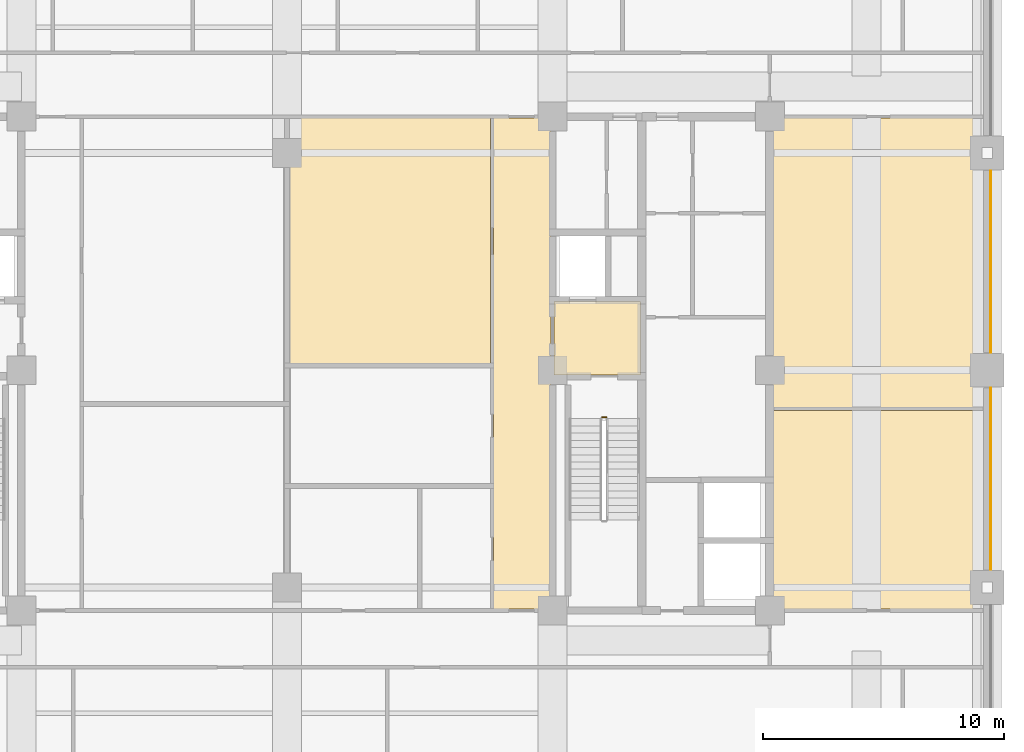
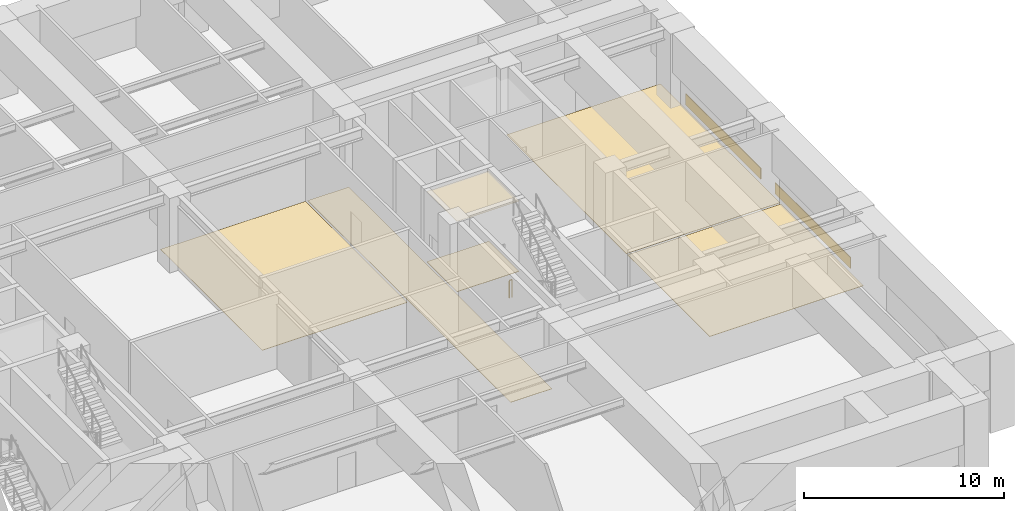
# One storey, part 10 of 11: 8 coverings, 1 railing.
"""IFC4 building model written with IfcOpenShell, lengths in metres."""

from ifc_helpers import new_model, si_unit, direction, frame, frame_2d, origin, origin_2d, place, context, subcontext, project, spatial, polyline, rectangle, outline, extrude, material, layer, layer_set, type_object, element, save


model = new_model("IFC4")

# Units and contexts
model_context = context("Model", 3, precision=1e-05, world=origin(), true_north=direction((0.0, 1.0)))
body_context = subcontext(model_context, "Body", "Model", "MODEL_VIEW")
ifc_project = project(units=[si_unit("LENGTHUNIT", "METRE"), si_unit("AREAUNIT", "SQUARE_METRE"), si_unit("VOLUMEUNIT", "CUBIC_METRE"), si_unit("PLANEANGLEUNIT", "RADIAN"), si_unit("MASSUNIT", "GRAM", prefix="KILO")], contexts=[model_context])

# Site, building, storey
site_placement = place(None, origin())
site = spatial("IfcSite", under=ifc_project, at=site_placement, CompositionType="ELEMENT")
building_placement = place(site_placement, origin())
building = spatial("IfcBuilding", under=site, at=building_placement, Name="Zulmaris Gate Convention Tower", CompositionType="ELEMENT")
storey_placement = place(building_placement, frame((0.0, 0.0, 52.18994140625)))
storey = spatial("IfcBuildingStorey", under=building, at=storey_placement, Name="L12", CompositionType="ELEMENT", Elevation=52.18994140625)

# Coverings
ifc_material_1 = material(Name="Precast concrete C40/50", Category="concrete")
ifc_layer_1 = layer(ifc_material_1, 0.0400390625, Name="Precast concrete C40/50")
ifc_layer_set_1 = layer_set([ifc_layer_1], Name="Precast concrete C40/50")
covering_type_1 = type_object("IfcCoveringType", Name="CLAD-SPANDREL-PRECAST", PredefinedType="CLADDING", material=ifc_layer_set_1)
for number, where, z_axis, x_axis, name in (
    (1, (29.14990234375, -8.27001953125, 0.0), (0.0, 0.0, 1.0), (0.0, 1.0, 0.0), "CLD-L12-E-1_0"),
    (2, (29.14990234375, 0.72998046875, 0.0), (0.0, 0.0, 1.0), (0.0, 1.0, 0.0), "CLD-L12-E-2_0"),
):
    element("IfcCovering", number, at=place(storey_placement, frame(where, z_axis=z_axis, x_axis=x_axis)), inside=storey, type_object=covering_type_1, Name=name, PredefinedType="CLADDING", context=body_context, shape_type="SweptSolid", body=[
        extrude(rectangle(XDim=7.5400390625, YDim=0.0400390625, at=frame_2d((3.77001953125, 0.0))), origin(), (0.0, 0.0, 1.0), 0.679931640625),
    ])
ifc_material_2 = material(Name="Mineral Fibre Acoustic Ceiling Tile")
ifc_layer_2 = layer(ifc_material_2, 0.02001953125, Name="Mineral Fibre Acoustic Ceiling Tile")
ifc_layer_set_2 = layer_set([ifc_layer_2], Name="Mineral Fibre Acoustic Ceiling Tile")
covering_type_2 = type_object("IfcCoveringType", Name="CLG-ACOUSTIC-600", PredefinedType="CEILING", material=ifc_layer_set_2)
covering_1_placement = place(storey_placement, frame((0.0, 0.0, 4.294921875)))
element("IfcCovering", 3, at=covering_1_placement, inside=storey, type_object=covering_type_2, Name="CLG-L12-R08", PredefinedType="CEILING", context=body_context, shape_type="SweptSolid", body=[
    extrude(outline(polyline([(11.06005859375, -0.18994140625), (14.639892578125, -0.18994140625), (14.639892578125, 2.840087890625), (11.06005859375, 2.840087890625), (11.06005859375, -0.18994140625)])), origin(), (0.0, 0.0, 1.0), 0.02001953125),
])
ifc_material_3 = material(Name="Woven Acoustic Wool Carpet Tile")
ifc_layer_3 = layer(ifc_material_3, 0.02001953125, Name="Woven Acoustic Wool Carpet Tile")
ifc_layer_set_3 = layer_set([ifc_layer_3], Name="Woven Acoustic Wool Carpet Tile")
covering_type_3 = type_object("IfcCoveringType", Name="FLR-CARPET-12", PredefinedType="FLOORING", material=ifc_layer_set_3)
covering_2_placement = place(storey_placement, origin())
element("IfcCovering", 4, at=covering_2_placement, inside=storey, type_object=covering_type_3, Name="FLR-L12-R08", PredefinedType="FLOORING", context=body_context, shape_type="SweptSolid", body=[
    extrude(outline(polyline([(11.06005859375, -0.18994140625), (14.639892578125, -0.18994140625), (14.639892578125, 2.840087890625), (11.06005859375, 2.840087890625), (11.06005859375, -0.18994140625)])), origin(), (0.0, 0.0, 1.0), 0.02001953125),
])
covering_3_placement = place(storey_placement, origin())
element("IfcCovering", 5, at=covering_3_placement, inside=storey, type_object=covering_type_3, Name="FLR-L12-R32", PredefinedType="FLOORING", context=body_context, shape_type="SweptSolid", body=[
    extrude(outline(polyline([(8.56005859375, -9.889892578125), (10.93994140625, -9.889892578125), (10.93994140625, 10.43994140625), (8.56005859375, 10.43994140625), (8.56005859375, -9.889892578125)])), origin(), (0.0, 0.0, 1.0), 0.02001953125),
])
covering_4_placement = place(storey_placement, origin())
element("IfcCovering", 6, at=covering_4_placement, inside=storey, type_object=covering_type_3, Name="FLR-L12-R44", PredefinedType="FLOORING", context=body_context, shape_type="SweptSolid", body=[
    extrude(outline(polyline([(0.06005859375, 0.260009765625), (8.43994140625, 0.260009765625), (8.43994140625, 10.43994140625), (0.06005859375, 10.43994140625), (0.06005859375, 0.260009765625)])), origin(), (0.0, 0.0, 1.0), 0.02001953125),
])
covering_5_placement = place(storey_placement, origin())
element("IfcCovering", 7, at=covering_5_placement, inside=storey, type_object=covering_type_3, Name="FLR-L12-R53", PredefinedType="FLOORING", context=body_context, shape_type="SweptSolid", body=[
    extrude(outline(polyline([(20.06005859375, -1.5400390625), (28.93994140625, -1.5400390625), (28.93994140625, 10.43994140625), (20.06005859375, 10.43994140625), (20.06005859375, -1.5400390625)])), origin(), (0.0, 0.0, 1.0), 0.02001953125),
])
covering_6_placement = place(storey_placement, origin())
element("IfcCovering", 8, at=covering_6_placement, inside=storey, type_object=covering_type_3, Name="FLR-L12-R54", PredefinedType="FLOORING", context=body_context, shape_type="SweptSolid", body=[
    extrude(outline(polyline([(20.06005859375, -9.889892578125), (28.93994140625, -9.889892578125), (28.93994140625, -1.659912109375), (20.06005859375, -1.659912109375), (20.06005859375, -9.889892578125)])), origin(), (0.0, 0.0, 1.0), 0.02001953125),
])

# Railing
ifc_material_4 = material(Name="Painted Galvanised Steel", Category="steel")
railing_type = type_object("IfcRailingType", Name="RL-STG-1150", PredefinedType="GUARDRAIL", material=ifc_material_4)
railing_placement = place(storey_placement, frame((13.06005859375, -1.949951171875, 0.0)))
element("IfcRailing", 9, at=railing_placement, inside=storey, type_object=railing_type, Name="L12 ST-2 stair guard 4", PredefinedType="GUARDRAIL", context=body_context, shape_type="SweptSolid", body=[
    extrude(rectangle(XDim=0.048095703125, YDim=0.048095703125, at=origin_2d()), frame((0.0, 0.0, 1.076171875), z_axis=(1.0, 0.0, 0.0), x_axis=(0.0, 1.0, 0.0)), (0.0, 0.0, 1.0), 0.159912109375),
    extrude(rectangle(XDim=0.0419921875, YDim=0.0419921875, at=origin_2d()), origin(), (0.0, 0.0, 1.0), 1.052001953125),
    extrude(rectangle(XDim=0.0419921875, YDim=0.0419921875, at=origin_2d()), frame((0.159912109375, 0.0, 0.0)), (0.0, 0.0, 1.0), 1.052001953125),
])

save(model, "model.ifc")
